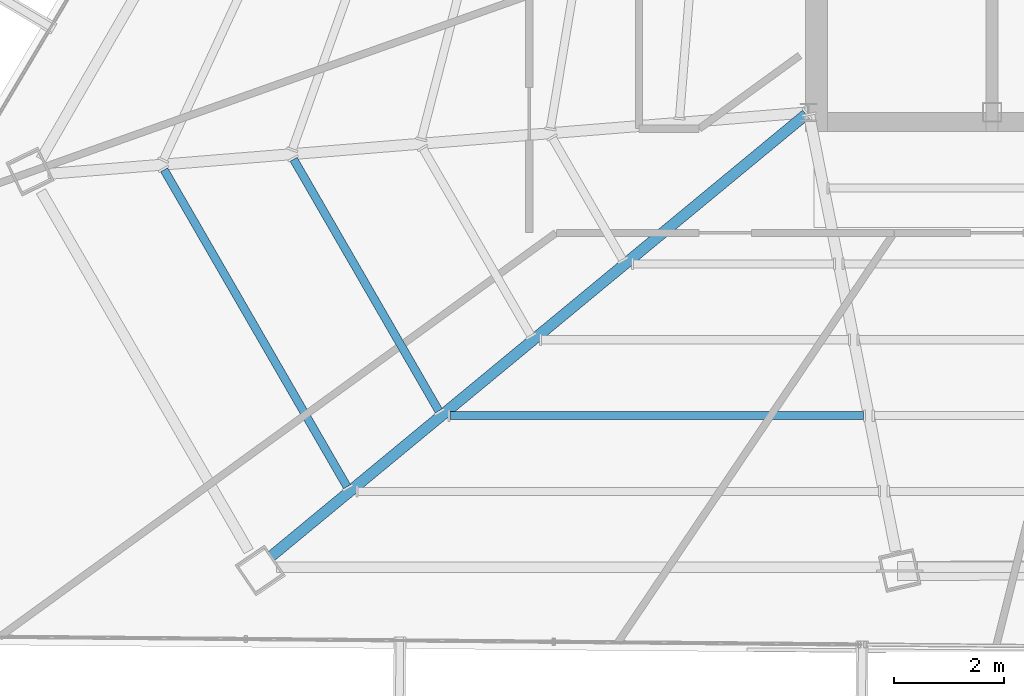
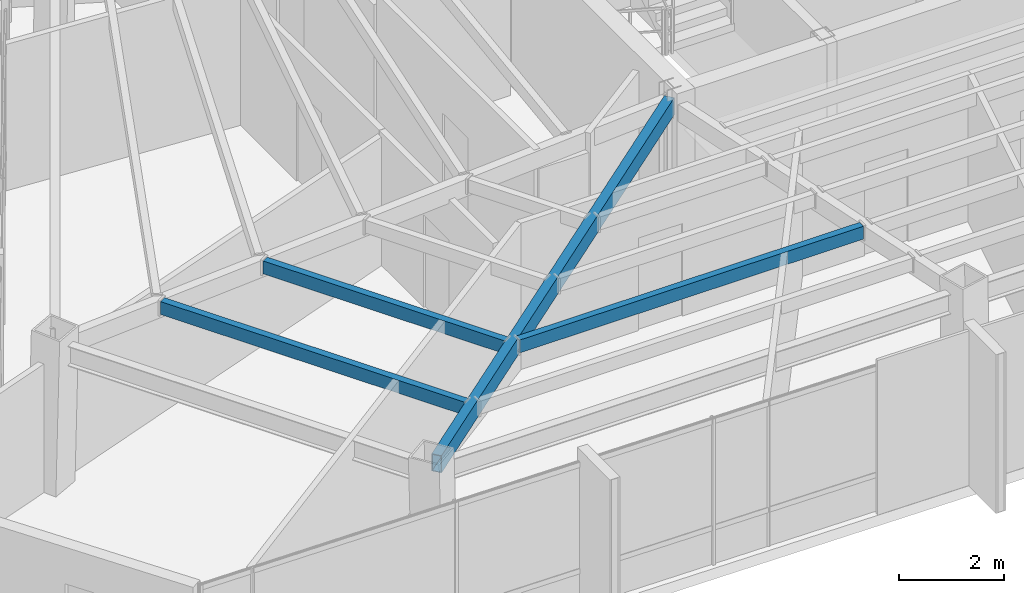
# One storey, part 6 of 45: 4 beams.
"""IFC4 building model written with IfcOpenShell, lengths in metres."""

from ifc_helpers import new_model, si_unit, direction, frame, origin, origin_2d, place, context, subcontext, project, spatial, hollow_rectangle, extrude, source, transform, mapped, material, material_profile, profile_set, type_object, type_shapes, element, save


model = new_model("IFC4")

# Units and contexts
model_context = context("Model", 3, precision=1e-05, world=origin(), true_north=direction((0.0, 1.0)))
body_context = subcontext(model_context, "Body", "Model", "MODEL_VIEW")
ifc_project = project(units=[si_unit("LENGTHUNIT", "METRE"), si_unit("AREAUNIT", "SQUARE_METRE"), si_unit("VOLUMEUNIT", "CUBIC_METRE"), si_unit("PLANEANGLEUNIT", "RADIAN"), si_unit("MASSUNIT", "GRAM", prefix="KILO")], contexts=[model_context])

# Site, building, storey
site_placement = place(None, origin())
site = spatial("IfcSite", under=ifc_project, at=site_placement, CompositionType="ELEMENT")
building_placement = place(site_placement, origin())
building = spatial("IfcBuilding", under=site, at=building_placement, Name="Caelisora Broadcast Tower", CompositionType="ELEMENT")
storey_placement = place(building_placement, frame((0.0, 0.0, 240.800048828125)))
storey = spatial("IfcBuildingStorey", under=building, at=storey_placement, Name="L63", CompositionType="ELEMENT", Elevation=240.800048828125)

# Beams
ifc_material = material(Name="Steel Grade 350 (AS/NZS 1163 C350L0)", Category="steel")
ifc_material_profile_1 = material_profile(ifc_material, hollow_rectangle(XDim=0.199951171875, YDim=0.39990234375, WallThickness=0.012451171875, at=origin_2d()), Name="Steel Grade 350 (AS/NZS 1163 C350L0)")
ifc_profile_set_1 = profile_set([ifc_material_profile_1], Name="Steel Grade 350 (AS/NZS 1163 C350L0)")
beam_type_1 = type_object("IfcBeamType", Name="PG07", PredefinedType="BEAM", material=ifc_profile_set_1)
shared_shape_1 = source(origin(), body_context, "Body", "SweptSolid", [
    extrude(hollow_rectangle(XDim=0.199951171875, YDim=0.39990234375, WallThickness=0.012451171875, at=origin_2d()), origin(), (0.0, 0.0, 1.0), 12.681640625),
])
type_shapes(beam_type_1, [shared_shape_1])
beam_1_placement = place(storey_placement, frame((30.45361328125, 17.36181640625, 3.199951171875), z_axis=(-0.770947366849, -0.636898859748, 0.0), x_axis=(0.636898859748, -0.770947366849, 0.0)))
element("IfcBeam", 1, at=beam_1_placement, inside=storey, type_object=beam_type_1, Name="L63 beam PG07", PredefinedType="BEAM", context=body_context, shape_type="MappedRepresentation", body=[
    mapped(shared_shape_1, transform((0.0, 0.0, 0.0), scale=1.0)),
])
ifc_material_profile_2 = material_profile(ifc_material, hollow_rectangle(XDim=0.14990234375, YDim=0.300048828125, WallThickness=0.010009765625, at=origin_2d()), Name="Steel Grade 350 (AS/NZS 1163 C350L0)")
ifc_profile_set_2 = profile_set([ifc_material_profile_2], Name="Steel Grade 350 (AS/NZS 1163 C350L0)")
beam_type_2 = type_object("IfcBeamType", Name="SB05", PredefinedType="JOIST", material=ifc_profile_set_2)
shared_shape_2 = source(origin(), body_context, "Body", "SweptSolid", [
    extrude(hollow_rectangle(XDim=0.14990234375, YDim=0.300048828125, WallThickness=0.010009765625, at=origin_2d()), origin(), (0.0, 0.0, 1.0), 5.302490234375),
])
beam_2_placement = place(storey_placement, frame((21.09765625, 16.540771484375, 3.25), z_axis=(0.499986835638, -0.866033004099, 0.0), x_axis=(0.866033004099, 0.499986835638, 0.0)))
element("IfcBeam", 2, at=beam_2_placement, inside=storey, type_object=beam_type_2, Name="L63 beam SB05", PredefinedType="JOIST", context=body_context, shape_type="MappedRepresentation", body=[
    mapped(shared_shape_2, transform((0.0, 0.0, 0.0), scale=1.0)),
])
shared_shape_3 = source(origin(), body_context, "Body", "SweptSolid", [
    extrude(hollow_rectangle(XDim=0.14990234375, YDim=0.300048828125, WallThickness=0.010009765625, at=origin_2d()), origin(), (0.0, 0.0, 1.0), 6.6796875),
])
beam_3_placement = place(storey_placement, frame((18.7333984375, 16.349365234375, 3.25), z_axis=(0.500034613552, -0.866005418719, 0.0), x_axis=(0.866005418719, 0.500034613552, 0.0)))
element("IfcBeam", 3, at=beam_3_placement, inside=storey, type_object=beam_type_2, Name="L63 beam SB05", PredefinedType="JOIST", context=body_context, shape_type="MappedRepresentation", body=[
    mapped(shared_shape_3, transform((0.0, 0.0, 0.0), scale=1.0)),
])
shared_shape_4 = source(origin(), body_context, "Body", "SweptSolid", [
    extrude(hollow_rectangle(XDim=0.14990234375, YDim=0.300048828125, WallThickness=0.010009765625, at=origin_2d()), origin(), (0.0, 0.0, 1.0), 7.548095703125),
])
type_shapes(beam_type_2, [shared_shape_2, shared_shape_3, shared_shape_4])
beam_4_placement = place(storey_placement, frame((23.9521484375, 11.863525390625, 3.25), z_axis=(1.0, 0.0, 0.0), x_axis=(0.0, 1.0, 0.0)))
element("IfcBeam", 4, at=beam_4_placement, inside=storey, type_object=beam_type_2, Name="L63 beam SB05", PredefinedType="JOIST", context=body_context, shape_type="MappedRepresentation", body=[
    mapped(shared_shape_4, transform((0.0, 0.0, 0.0), scale=1.0)),
])

save(model, "model.ifc")
